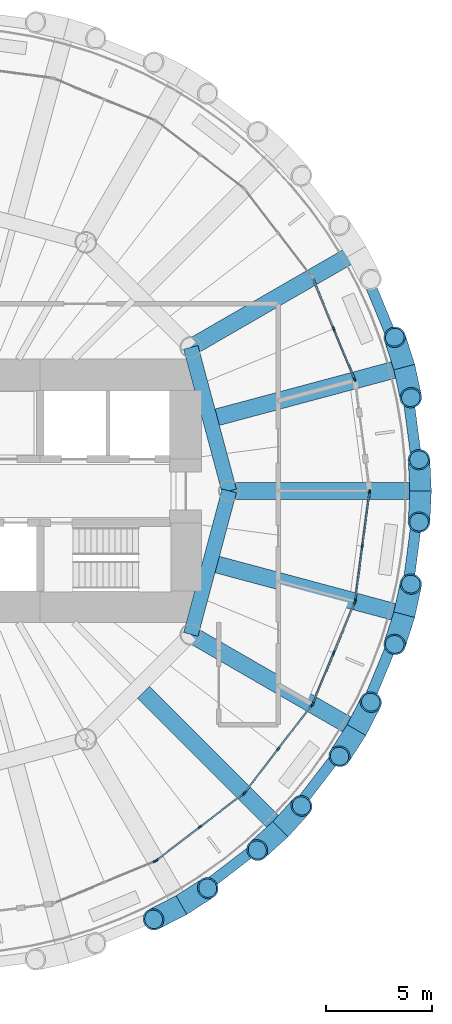
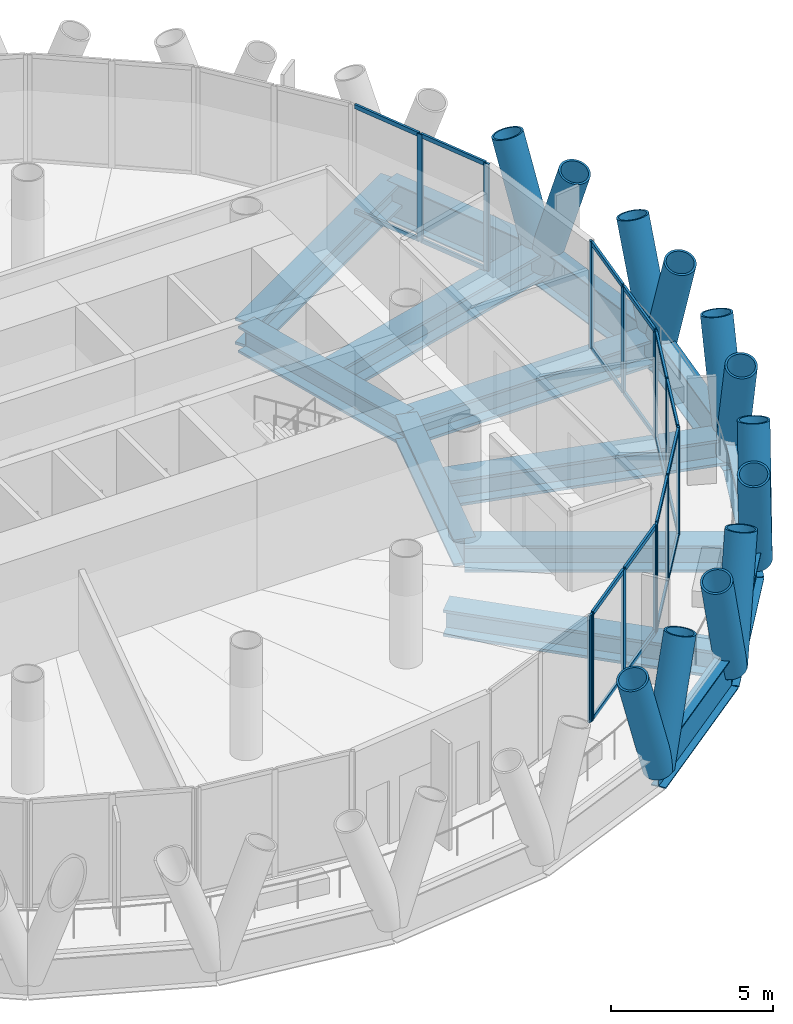
# One storey, part 4 of 14: 47 members, 14 beams, 6 elements without a shape of their own.
"""IFC4 building model written with IfcOpenShell, lengths in metres."""

import ifcopenshell
import ifcopenshell.guid

model = None  # the IFC model being written
_history = None  # IfcOwnerHistory: only IFC2X3 demands one
_inside = {}  # id of a spatial element -> (the spatial element, [elements in it])
_under = {}  # id of a project, library or spatial element -> (it, [spatial elements below it])
_declared = {}  # id of a project -> (the project, [libraries it declares])
_typed = {}  # id of a type object -> (the type object, [elements of that type])
_made_of = {}  # id of a material, layer set ... -> (it, [elements and type objects made of it])


def new_model(schema):
    """Start an empty IFC model of exactly this schema.

    Asked for "IFC4X3", IfcOpenShell would pick the latest addendum, in which some entities
    have other attributes; the version numbers below select the first issue.
    IFC2X3 requires an IfcOwnerHistory on every rooted entity: one is made here for all.
    """
    global model, _history
    if schema == "IFC4X3":
        model = ifcopenshell.file(schema_version=(4, 3, 0, 0))
    else:
        model = ifcopenshell.file(schema=schema)
    _inside.clear()
    _under.clear()
    _declared.clear()
    _typed.clear()
    _made_of.clear()
    _history = None
    if model.schema == "IFC2X3":
        org = make("IfcOrganization", Name="unknown")
        user = make(
            "IfcPersonAndOrganization",
            ThePerson=make("IfcPerson", FamilyName="unknown"),
            TheOrganization=org,
        )
        app = make(
            "IfcApplication",
            ApplicationDeveloper=org,
            Version="unknown",
            ApplicationFullName="unknown",
            ApplicationIdentifier="unknown",
        )
        _history = make(
            "IfcOwnerHistory",
            OwningUser=user,
            OwningApplication=app,
            ChangeAction="ADDED",
            CreationDate=0,
        )
    return model


def make(cls, **values):
    """One entity of the class cls with the attributes given. An attribute that is None is left unset."""
    return model.create_entity(
        cls, **{name: value for name, value in values.items() if value is not None}
    )


def rooted(cls, **values):
    """An entity with a GlobalId (a new one), such as an element, a storey or a relation."""
    return make(cls, GlobalId=ifcopenshell.guid.new(), OwnerHistory=_history, **values)


def si_unit(unit_type, name, prefix=None):
    """IfcSIUnit, for example si_unit("LENGTHUNIT", "METRE", prefix="MILLI")."""
    return make("IfcSIUnit", UnitType=unit_type, Prefix=prefix, Name=name)


def assignment(units):
    """IfcUnitAssignment: the units of a project."""
    return None if units is None else make("IfcUnitAssignment", Units=units)


def point(xyz):
    """IfcCartesianPoint."""
    return None if xyz is None else make("IfcCartesianPoint", Coordinates=xyz)


def direction(xyz):
    """IfcDirection."""
    return None if xyz is None else make("IfcDirection", DirectionRatios=xyz)


def frame(location, z_axis=None, x_axis=None):
    """IfcAxis2Placement3D, a coordinate frame: its origin and axes. An axis left out is left unset."""
    return make(
        "IfcAxis2Placement3D",
        Location=point(location),
        Axis=direction(z_axis),
        RefDirection=direction(x_axis),
    )


def frame_2d(location, x_axis=None):
    """IfcAxis2Placement2D, a coordinate frame in the plane: its origin and x axis."""
    return make(
        "IfcAxis2Placement2D", Location=point(location), RefDirection=direction(x_axis)
    )


def origin():
    """The frame at (0, 0, 0) with its axes left unset."""
    return frame((0.0, 0.0, 0.0))


def origin_2d():
    """The frame at (0, 0) in the plane with its x axis left unset."""
    return frame_2d((0.0, 0.0))


def place(relative_to, where):
    """IfcLocalPlacement: puts the frame where relative to a parent placement (None: the world)."""
    return make(
        "IfcLocalPlacement", PlacementRelTo=relative_to, RelativePlacement=where
    )


def context(
    kind, dimensions, precision=None, world=None, true_north=None, identifier=None
):
    """IfcGeometricRepresentationContext, for example the 3D "Model" context."""
    return make(
        "IfcGeometricRepresentationContext",
        ContextIdentifier=identifier,
        ContextType=kind,
        CoordinateSpaceDimension=dimensions,
        Precision=precision,
        WorldCoordinateSystem=world,
        TrueNorth=true_north,
    )


def subcontext(parent, identifier, kind, view, scale=None):
    """IfcGeometricRepresentationSubContext, for example "Body" below "Model"."""
    return make(
        "IfcGeometricRepresentationSubContext",
        ContextIdentifier=identifier,
        ContextType=kind,
        ParentContext=parent,
        TargetScale=scale,
        TargetView=view,
    )


def project(units=None, contexts=None):
    """IfcProject with its units and contexts."""
    return rooted(
        "IfcProject",
        Name="project",
        RepresentationContexts=contexts,
        UnitsInContext=assignment(units),
    )


def spatial(cls, under=None, at=None, **own):
    """A site, building, storey or space (cls), placed at a placement, below another one or the project."""
    s = rooted(cls, ObjectPlacement=at, **own)
    if under is not None:
        _under.setdefault(under.id(), (under, []))[1].append(s)
    return s


def profile(cls, at=None, kind="AREA", **sizes):
    """A parametric profile (cls). Its sizes go by their IFC names, for example OverallWidth=200.0."""
    return make(cls, ProfileType=kind, Position=at, **sizes)


def rectangle(**sizes):
    """IfcRectangleProfileDef."""
    return profile("IfcRectangleProfileDef", **sizes)


def hollow_circle(**sizes):
    """IfcCircleHollowProfileDef."""
    return profile("IfcCircleHollowProfileDef", **sizes)


def i_section(**sizes):
    """IfcIShapeProfileDef."""
    return profile("IfcIShapeProfileDef", **sizes)


def extrude(swept, where, along, depth):
    """IfcExtrudedAreaSolid: the profile swept, set in the frame where, extruded along a direction by depth."""
    return make(
        "IfcExtrudedAreaSolid",
        SweptArea=swept,
        Position=where,
        ExtrudedDirection=direction(along),
        Depth=depth,
    )


def shape(context_of_items, identifier, shape_type, items):
    """IfcShapeRepresentation: the items that make up one representation, for example the "Body"."""
    return make(
        "IfcShapeRepresentation",
        ContextOfItems=context_of_items,
        RepresentationIdentifier=identifier,
        RepresentationType=shape_type,
        Items=items,
    )


def material(Name=None, Category=None):
    """IfcMaterial."""
    return make("IfcMaterial", Name=Name, Category=Category)


def material_profile(
    of_material, cross_section, Name=None, Category=None, Priority=None
):
    """IfcMaterialProfile: a cross section and its material."""
    return make(
        "IfcMaterialProfile",
        Name=Name,
        Material=of_material,
        Profile=cross_section,
        Priority=Priority,
        Category=Category,
    )


def profile_set(profiles, Name=None, composite=None):
    """IfcMaterialProfileSet."""
    return make(
        "IfcMaterialProfileSet",
        Name=Name,
        MaterialProfiles=profiles,
        CompositeProfile=composite,
    )


def made_of(thing, what):
    """Note that an element or type object is made of a material, layer set ...; save() writes the relation."""
    if what is not None:
        _made_of.setdefault(what.id(), (what, []))[1].append(thing)
    return thing


def type_object(cls, material=None, **own):
    """A type object (cls), such as IfcWallType, which elements share."""
    return made_of(rooted(cls, **own), material)


def element(
    cls,
    number,
    at=None,
    inside=None,
    cuts=None,
    type_object=None,
    material=None,
    context=None,
    identifier="Body",
    shape_type=None,
    held_by="IfcProductDefinitionShape",
    body=None,
    shapes=None,
    **own,
):
    """One element of the class cls, such as IfcWall. Its Tag is "e" and its number.

    at: its placement. inside: the storey or other place that contains it. cuts: it is an
    opening in that element (IfcRelVoidsElement). A single representation is given by context,
    identifier, shape_type and body (its items); several are given by shapes. held_by: the class
    of the entity that holds the representations. save() writes the other relations.
    """
    e = rooted(cls, Tag="e%d" % number, ObjectPlacement=at, **own)
    if body is not None:
        shapes = [shape(context, identifier, shape_type, body)]
    if shapes is not None:
        e.Representation = make(held_by, Representations=shapes)
    if inside is not None:
        _inside.setdefault(inside.id(), (inside, []))[1].append(e)
    if cuts is not None:
        rooted(
            "IfcRelVoidsElement", RelatingBuildingElement=cuts, RelatedOpeningElement=e
        )
    if type_object is not None:
        _typed.setdefault(type_object.id(), (type_object, []))[1].append(e)
    return made_of(e, material)


def aggregate(whole, parts):
    """IfcRelAggregates: a whole, such as a stair, and the parts it consists of."""
    return rooted("IfcRelAggregates", RelatingObject=whole, RelatedObjects=parts)


def save(model, path):
    """Write the relations noted so far, then the file.

    IfcRelAggregates (storeys below a building ...), IfcRelContainedInSpatialStructure (elements
    in a storey), IfcRelDefinesByType, IfcRelAssociatesMaterial and IfcRelDeclares: one each for
    every whole, place, type object, material and project.
    """
    for whole, parts in _under.values():
        aggregate(whole, parts)
    for where, things in _inside.values():
        rooted(
            "IfcRelContainedInSpatialStructure",
            RelatedElements=things,
            RelatingStructure=where,
        )
    for kind, things in _typed.values():
        rooted("IfcRelDefinesByType", RelatedObjects=things, RelatingType=kind)
    for what, things in _made_of.values():
        rooted("IfcRelAssociatesMaterial", RelatedObjects=things, RelatingMaterial=what)
    for by, libraries in _declared.values():
        rooted("IfcRelDeclares", RelatingContext=by, RelatedDefinitions=libraries)
    model.write(path)


model = new_model("IFC4")

# Units and contexts
model_context = context("Model", 3, precision=1e-05, world=origin(), true_north=direction((0.0, 1.0)))
body_context = subcontext(model_context, "Body", "Model", "MODEL_VIEW")
ifc_project = project(units=[si_unit("LENGTHUNIT", "METRE"), si_unit("AREAUNIT", "SQUARE_METRE"), si_unit("VOLUMEUNIT", "CUBIC_METRE"), si_unit("PLANEANGLEUNIT", "RADIAN"), si_unit("MASSUNIT", "GRAM", prefix="KILO")], contexts=[model_context])

# Site, building, storey
site_placement = place(None, origin())
site = spatial("IfcSite", under=ifc_project, at=site_placement, CompositionType="ELEMENT")
building_placement = place(site_placement, origin())
building = spatial("IfcBuilding", under=site, at=building_placement, Name="Qaws Media Tower", CompositionType="ELEMENT")
storey_placement = place(building_placement, frame((0.0, 0.0, 227.60009765625)))
storey = spatial("IfcBuildingStorey", under=building, at=storey_placement, Name="L52", CompositionType="ELEMENT", Elevation=227.60009765625)

# Curtain wall, members
ifc_material_1 = material(Name="Aluminium and clear glass", Category="aluminium")
curtain_wall_type = type_object("IfcCurtainWallType", Name="Unitised curtain wall CW-C", PredefinedType="NOTDEFINED", material=ifc_material_1)
curtain_wall_1_placement = place(storey_placement, origin())
curtain_wall_1 = element("IfcCurtainWall", 1, at=curtain_wall_1_placement, inside=storey, type_object=curtain_wall_type, Name="CWC curtain wall L52-02", PredefinedType="NOTDEFINED")
ifc_material_2 = material(Name="Aluminium mullion", Category="aluminium")
ifc_material_profile_1 = material_profile(ifc_material_2, rectangle(XDim=0.080078125, YDim=0.199951171875, at=origin_2d()), Name="80x200")
ifc_profile_set_1 = profile_set([ifc_material_profile_1], Name="Aluminium mullion")
member_type_1 = type_object("IfcMemberType", Name="Curtain wall mullion 80x200", PredefinedType="MULLION", material=ifc_profile_set_1)
member_1_placement = place(storey_placement, frame((79.39990234375, 55.2392578125, 0.0), z_axis=(0.0, 0.0, 1.0), x_axis=(-0.92387956029, -0.382683365302, 0.0)))
member_1 = element("IfcMember", 2, at=member_1_placement, type_object=member_type_1, Name="CWC mullion 1", PredefinedType="MULLION", context=body_context, shape_type="SweptSolid", body=[
    extrude(rectangle(XDim=0.080078125, YDim=0.199951171875, at=origin_2d()), origin(), (0.0, 0.0, 1.0), 4.039794921875),
])
member_2_placement = place(storey_placement, frame((78.4111328125, 57.626220703125, 0.0), z_axis=(0.0, 0.0, 1.0), x_axis=(-0.92387956029, -0.382683365302, 0.0)))
member_2 = element("IfcMember", 3, at=member_2_placement, type_object=member_type_1, Name="CWC mullion 2", PredefinedType="MULLION", context=body_context, shape_type="SweptSolid", body=[
    extrude(rectangle(XDim=0.080078125, YDim=0.199951171875, at=origin_2d()), origin(), (0.0, 0.0, 1.0), 4.039794921875),
])

# Curtain wall, member
curtain_wall_2_placement = place(storey_placement, origin())
curtain_wall_2 = element("IfcCurtainWall", 4, at=curtain_wall_2_placement, inside=storey, type_object=curtain_wall_type, Name="CWC curtain wall L52-20", PredefinedType="NOTDEFINED")
member_3_placement = place(storey_placement, frame((70.012939453125, 32.57763671875, 0.0), z_axis=(0.0, 0.0, 1.0), x_axis=(-0.382683365302, 0.92387956029, 0.0)))
member_3 = element("IfcMember", 5, at=member_3_placement, type_object=member_type_1, Name="CWC mullion 3", PredefinedType="MULLION", context=body_context, shape_type="SweptSolid", body=[
    extrude(rectangle(XDim=0.080078125, YDim=0.199951171875, at=origin_2d()), origin(), (0.0, 0.0, 1.0), 4.039794921875),
])
aggregate(curtain_wall_2, [member_3])

# Curtain wall, members
curtain_wall_3_placement = place(storey_placement, origin())
curtain_wall_3 = element("IfcCurtainWall", 6, at=curtain_wall_3_placement, inside=storey, type_object=curtain_wall_type, Name="CWC curtain wall L52-21", PredefinedType="NOTDEFINED")
member_4_placement = place(storey_placement, frame((70.081787109375, 32.6171875, 0.0), z_axis=(0.0, 0.0, 1.0), x_axis=(-0.608761539048, 0.793353255855, 0.0)))
member_4 = element("IfcMember", 7, at=member_4_placement, type_object=member_type_1, Name="CWC mullion 1", PredefinedType="MULLION", context=body_context, shape_type="SweptSolid", body=[
    extrude(rectangle(XDim=0.080078125, YDim=0.199951171875, at=origin_2d()), origin(), (0.0, 0.0, 1.0), 4.039794921875),
])
member_5_placement = place(storey_placement, frame((72.13134765625, 34.18994140625, 0.0), z_axis=(0.0, 0.0, 1.0), x_axis=(-0.608761539048, 0.793353255855, 0.0)))
member_5 = element("IfcMember", 8, at=member_5_placement, type_object=member_type_1, Name="CWC mullion 2", PredefinedType="MULLION", context=body_context, shape_type="SweptSolid", body=[
    extrude(rectangle(XDim=0.080078125, YDim=0.199951171875, at=origin_2d()), origin(), (0.0, 0.0, 1.0), 4.039794921875),
])
member_6_placement = place(storey_placement, frame((74.18115234375, 35.7626953125, 0.0), z_axis=(0.0, 0.0, 1.0), x_axis=(-0.608761539048, 0.793353255855, 0.0)))
member_6 = element("IfcMember", 9, at=member_6_placement, type_object=member_type_1, Name="CWC mullion 3", PredefinedType="MULLION", context=body_context, shape_type="SweptSolid", body=[
    extrude(rectangle(XDim=0.080078125, YDim=0.199951171875, at=origin_2d()), origin(), (0.0, 0.0, 1.0), 4.039794921875),
])

curtain_wall_4_placement = place(storey_placement, origin())
curtain_wall_4 = element("IfcCurtainWall", 10, at=curtain_wall_4_placement, inside=storey, type_object=curtain_wall_type, Name="CWC curtain wall L52-22", PredefinedType="NOTDEFINED")
member_7_placement = place(storey_placement, frame((74.2373046875, 35.81884765625, 0.0), z_axis=(0.0, 0.0, 1.0), x_axis=(-0.793353255855, 0.608761539048, 0.0)))
member_7 = element("IfcMember", 11, at=member_7_placement, type_object=member_type_1, Name="CWC mullion 1", PredefinedType="MULLION", context=body_context, shape_type="SweptSolid", body=[
    extrude(rectangle(XDim=0.080078125, YDim=0.199951171875, at=origin_2d()), origin(), (0.0, 0.0, 1.0), 4.039794921875),
])
member_8_placement = place(storey_placement, frame((75.81005859375, 37.86865234375, 0.0), z_axis=(0.0, 0.0, 1.0), x_axis=(-0.793353255855, 0.608761539048, 0.0)))
member_8 = element("IfcMember", 12, at=member_8_placement, type_object=member_type_1, Name="CWC mullion 2", PredefinedType="MULLION", context=body_context, shape_type="SweptSolid", body=[
    extrude(rectangle(XDim=0.080078125, YDim=0.199951171875, at=origin_2d()), origin(), (0.0, 0.0, 1.0), 4.039794921875),
])
member_9_placement = place(storey_placement, frame((77.3828125, 39.918212890625, 0.0), z_axis=(0.0, 0.0, 1.0), x_axis=(-0.793353255855, 0.608761539048, 0.0)))
member_9 = element("IfcMember", 13, at=member_9_placement, type_object=member_type_1, Name="CWC mullion 3", PredefinedType="MULLION", context=body_context, shape_type="SweptSolid", body=[
    extrude(rectangle(XDim=0.080078125, YDim=0.199951171875, at=origin_2d()), origin(), (0.0, 0.0, 1.0), 4.039794921875),
])

curtain_wall_5_placement = place(storey_placement, origin())
curtain_wall_5 = element("IfcCurtainWall", 14, at=curtain_wall_5_placement, inside=storey, type_object=curtain_wall_type, Name="CWC curtain wall L52-23", PredefinedType="NOTDEFINED")
member_10_placement = place(storey_placement, frame((77.42236328125, 39.987060546875, 0.0), z_axis=(0.0, 0.0, 1.0), x_axis=(-0.92387956029, 0.382683365302, 0.0)))
member_10 = element("IfcMember", 15, at=member_10_placement, type_object=member_type_1, Name="CWC mullion 1", PredefinedType="MULLION", context=body_context, shape_type="SweptSolid", body=[
    extrude(rectangle(XDim=0.080078125, YDim=0.199951171875, at=origin_2d()), origin(), (0.0, 0.0, 1.0), 4.039794921875),
])
member_11_placement = place(storey_placement, frame((78.4111328125, 42.373779296875, 0.0), z_axis=(0.0, 0.0, 1.0), x_axis=(-0.92387956029, 0.382683365302, 0.0)))
member_11 = element("IfcMember", 16, at=member_11_placement, type_object=member_type_1, Name="CWC mullion 2", PredefinedType="MULLION", context=body_context, shape_type="SweptSolid", body=[
    extrude(rectangle(XDim=0.080078125, YDim=0.199951171875, at=origin_2d()), origin(), (0.0, 0.0, 1.0), 4.039794921875),
])
member_12_placement = place(storey_placement, frame((79.39990234375, 44.7607421875, 0.0), z_axis=(0.0, 0.0, 1.0), x_axis=(-0.92387956029, 0.382683365302, 0.0)))
member_12 = element("IfcMember", 17, at=member_12_placement, type_object=member_type_1, Name="CWC mullion 3", PredefinedType="MULLION", context=body_context, shape_type="SweptSolid", body=[
    extrude(rectangle(XDim=0.080078125, YDim=0.199951171875, at=origin_2d()), origin(), (0.0, 0.0, 1.0), 4.039794921875),
])

curtain_wall_6_placement = place(storey_placement, origin())
curtain_wall_6 = element("IfcCurtainWall", 18, at=curtain_wall_6_placement, inside=storey, type_object=curtain_wall_type, Name="CWC curtain wall L52-24", PredefinedType="NOTDEFINED")
member_13_placement = place(storey_placement, frame((79.42041015625, 44.83740234375, 0.0), z_axis=(0.0, 0.0, 1.0), x_axis=(-0.991444859328, 0.130526207759, 0.0)))
member_13 = element("IfcMember", 19, at=member_13_placement, type_object=member_type_1, Name="CWC mullion 1", PredefinedType="MULLION", context=body_context, shape_type="SweptSolid", body=[
    extrude(rectangle(XDim=0.080078125, YDim=0.199951171875, at=origin_2d()), origin(), (0.0, 0.0, 1.0), 4.039794921875),
])
member_14_placement = place(storey_placement, frame((79.757568359375, 47.39892578125, 0.0), z_axis=(0.0, 0.0, 1.0), x_axis=(-0.991444859328, 0.130526207759, 0.0)))
member_14 = element("IfcMember", 20, at=member_14_placement, type_object=member_type_1, Name="CWC mullion 2", PredefinedType="MULLION", context=body_context, shape_type="SweptSolid", body=[
    extrude(rectangle(XDim=0.080078125, YDim=0.199951171875, at=origin_2d()), origin(), (0.0, 0.0, 1.0), 4.039794921875),
])
member_15_placement = place(storey_placement, frame((80.0947265625, 49.96044921875, 0.0), z_axis=(0.0, 0.0, 1.0), x_axis=(-0.991444859328, 0.130526207759, 0.0)))
member_15 = element("IfcMember", 21, at=member_15_placement, type_object=member_type_1, Name="CWC mullion 3", PredefinedType="MULLION", context=body_context, shape_type="SweptSolid", body=[
    extrude(rectangle(XDim=0.080078125, YDim=0.199951171875, at=origin_2d()), origin(), (0.0, 0.0, 1.0), 4.039794921875),
])

# Member
ifc_material_3 = material(Name="Aluminium transom", Category="aluminium")
ifc_material_profile_2 = material_profile(ifc_material_3, rectangle(XDim=0.080078125, YDim=0.159912109375, at=origin_2d()), Name="80x160")
ifc_profile_set_2 = profile_set([ifc_material_profile_2], Name="Aluminium transom")
member_type_2 = type_object("IfcMemberType", Name="Curtain wall transom 80x160", PredefinedType="USERDEFINED", material=ifc_profile_set_2)
member_16_placement = place(storey_placement, frame((79.384521484375, 55.276123046875, 0.039794921875), z_axis=(-0.382661849723, 0.923888472039, 0.0), x_axis=(-0.923888472039, -0.382661849723, 0.0)))
member_16 = element("IfcMember", 22, at=member_16_placement, type_object=member_type_2, Name="CWC transom 1.1", ObjectType="TRANSOM", PredefinedType="USERDEFINED", context=body_context, shape_type="SweptSolid", body=[
    extrude(rectangle(XDim=0.080078125, YDim=0.159912109375, at=origin_2d()), origin(), (0.0, 0.0, 1.0), 2.50341796875),
])

member_17_placement = place(storey_placement, frame((79.384521484375, 55.276123046875, 4.0), z_axis=(-0.382661849723, 0.923888472039, 0.0), x_axis=(-0.923888472039, -0.382661849723, 0.0)))
member_17 = element("IfcMember", 23, at=member_17_placement, type_object=member_type_2, Name="CWC transom 1.2", ObjectType="TRANSOM", PredefinedType="USERDEFINED", context=body_context, shape_type="SweptSolid", body=[
    extrude(rectangle(XDim=0.080078125, YDim=0.159912109375, at=origin_2d()), origin(), (0.0, 0.0, 1.0), 2.50341796875),
])

member_18_placement = place(storey_placement, frame((78.395751953125, 57.6630859375, 0.039794921875), z_axis=(-0.382661849723, 0.923888472039, 0.0), x_axis=(-0.923888472039, -0.382661849723, 0.0)))
member_18 = element("IfcMember", 24, at=member_18_placement, type_object=member_type_2, Name="CWC transom 2.1", ObjectType="TRANSOM", PredefinedType="USERDEFINED", context=body_context, shape_type="SweptSolid", body=[
    extrude(rectangle(XDim=0.080078125, YDim=0.159912109375, at=origin_2d()), origin(), (0.0, 0.0, 1.0), 2.50341796875),
])

member_19_placement = place(storey_placement, frame((78.395751953125, 57.6630859375, 4.0), z_axis=(-0.382661849723, 0.923888472039, 0.0), x_axis=(-0.923888472039, -0.382661849723, 0.0)))
member_19 = element("IfcMember", 25, at=member_19_placement, type_object=member_type_2, Name="CWC transom 2.2", ObjectType="TRANSOM", PredefinedType="USERDEFINED", context=body_context, shape_type="SweptSolid", body=[
    extrude(rectangle(XDim=0.080078125, YDim=0.159912109375, at=origin_2d()), origin(), (0.0, 0.0, 1.0), 2.50341796875),
])

aggregate(curtain_wall_1, [member_1, member_2, member_16, member_17, member_18, member_19])

member_20_placement = place(storey_placement, frame((70.113525390625, 32.6416015625, 0.039794921875), z_axis=(0.793315898111, 0.608810221501, 0.0), x_axis=(-0.608810221501, 0.793315898111, 0.0)))
member_20 = element("IfcMember", 26, at=member_20_placement, type_object=member_type_2, Name="CWC transom 1.1", ObjectType="TRANSOM", PredefinedType="USERDEFINED", context=body_context, shape_type="SweptSolid", body=[
    extrude(rectangle(XDim=0.080078125, YDim=0.159912109375, at=origin_2d()), origin(), (0.0, 0.0, 1.0), 2.50341796875),
])

member_21_placement = place(storey_placement, frame((70.113525390625, 32.6416015625, 4.0), z_axis=(0.793315898111, 0.608810221501, 0.0), x_axis=(-0.608810221501, 0.793315898111, 0.0)))
member_21 = element("IfcMember", 27, at=member_21_placement, type_object=member_type_2, Name="CWC transom 1.2", ObjectType="TRANSOM", PredefinedType="USERDEFINED", context=body_context, shape_type="SweptSolid", body=[
    extrude(rectangle(XDim=0.080078125, YDim=0.159912109375, at=origin_2d()), origin(), (0.0, 0.0, 1.0), 2.50341796875),
])

member_22_placement = place(storey_placement, frame((72.1630859375, 34.21435546875, 0.039794921875), z_axis=(0.79335203927, 0.608763124529, 0.0), x_axis=(-0.608763124529, 0.79335203927, 0.0)))
member_22 = element("IfcMember", 28, at=member_22_placement, type_object=member_type_2, Name="CWC transom 2.1", ObjectType="TRANSOM", PredefinedType="USERDEFINED", context=body_context, shape_type="SweptSolid", body=[
    extrude(rectangle(XDim=0.080078125, YDim=0.159912109375, at=origin_2d()), origin(), (0.0, 0.0, 1.0), 2.503662109375),
])

member_23_placement = place(storey_placement, frame((72.1630859375, 34.21435546875, 4.0), z_axis=(0.79335203927, 0.608763124529, 0.0), x_axis=(-0.608763124529, 0.79335203927, 0.0)))
member_23 = element("IfcMember", 29, at=member_23_placement, type_object=member_type_2, Name="CWC transom 2.2", ObjectType="TRANSOM", PredefinedType="USERDEFINED", context=body_context, shape_type="SweptSolid", body=[
    extrude(rectangle(XDim=0.080078125, YDim=0.159912109375, at=origin_2d()), origin(), (0.0, 0.0, 1.0), 2.503662109375),
])

aggregate(curtain_wall_3, [member_4, member_5, member_6, member_20, member_21, member_22, member_23])

member_24_placement = place(storey_placement, frame((74.261474609375, 35.8505859375, 0.039794921875), z_axis=(0.608763124529, 0.79335203927, 0.0), x_axis=(-0.79335203927, 0.608763124529, 0.0)))
member_24 = element("IfcMember", 30, at=member_24_placement, type_object=member_type_2, Name="CWC transom 1.1", ObjectType="TRANSOM", PredefinedType="USERDEFINED", context=body_context, shape_type="SweptSolid", body=[
    extrude(rectangle(XDim=0.080078125, YDim=0.159912109375, at=origin_2d()), origin(), (0.0, 0.0, 1.0), 2.503662109375),
])

member_25_placement = place(storey_placement, frame((74.261474609375, 35.8505859375, 4.0), z_axis=(0.608763124529, 0.79335203927, 0.0), x_axis=(-0.79335203927, 0.608763124529, 0.0)))
member_25 = element("IfcMember", 31, at=member_25_placement, type_object=member_type_2, Name="CWC transom 1.2", ObjectType="TRANSOM", PredefinedType="USERDEFINED", context=body_context, shape_type="SweptSolid", body=[
    extrude(rectangle(XDim=0.080078125, YDim=0.159912109375, at=origin_2d()), origin(), (0.0, 0.0, 1.0), 2.503662109375),
])

member_26_placement = place(storey_placement, frame((75.834228515625, 37.900390625, 0.039794921875), z_axis=(0.608810221501, 0.793315898111, 0.0), x_axis=(-0.793315898111, 0.608810221501, 0.0)))
member_26 = element("IfcMember", 32, at=member_26_placement, type_object=member_type_2, Name="CWC transom 2.1", ObjectType="TRANSOM", PredefinedType="USERDEFINED", context=body_context, shape_type="SweptSolid", body=[
    extrude(rectangle(XDim=0.080078125, YDim=0.159912109375, at=origin_2d()), origin(), (0.0, 0.0, 1.0), 2.50341796875),
])

member_27_placement = place(storey_placement, frame((75.834228515625, 37.900390625, 4.0), z_axis=(0.608810221501, 0.793315898111, 0.0), x_axis=(-0.793315898111, 0.608810221501, 0.0)))
member_27 = element("IfcMember", 33, at=member_27_placement, type_object=member_type_2, Name="CWC transom 2.2", ObjectType="TRANSOM", PredefinedType="USERDEFINED", context=body_context, shape_type="SweptSolid", body=[
    extrude(rectangle(XDim=0.080078125, YDim=0.159912109375, at=origin_2d()), origin(), (0.0, 0.0, 1.0), 2.50341796875),
])

aggregate(curtain_wall_4, [member_7, member_8, member_9, member_24, member_25, member_26, member_27])

member_28_placement = place(storey_placement, frame((77.437744140625, 40.02392578125, 0.039794921875), z_axis=(0.382661849723, 0.923888472039, 0.0), x_axis=(-0.923888472039, 0.382661849723, 0.0)))
member_28 = element("IfcMember", 34, at=member_28_placement, type_object=member_type_2, Name="CWC transom 1.1", ObjectType="TRANSOM", PredefinedType="USERDEFINED", context=body_context, shape_type="SweptSolid", body=[
    extrude(rectangle(XDim=0.080078125, YDim=0.159912109375, at=origin_2d()), origin(), (0.0, 0.0, 1.0), 2.50341796875),
])

member_29_placement = place(storey_placement, frame((77.437744140625, 40.02392578125, 4.0), z_axis=(0.382661849723, 0.923888472039, 0.0), x_axis=(-0.923888472039, 0.382661849723, 0.0)))
member_29 = element("IfcMember", 35, at=member_29_placement, type_object=member_type_2, Name="CWC transom 1.2", ObjectType="TRANSOM", PredefinedType="USERDEFINED", context=body_context, shape_type="SweptSolid", body=[
    extrude(rectangle(XDim=0.080078125, YDim=0.159912109375, at=origin_2d()), origin(), (0.0, 0.0, 1.0), 2.50341796875),
])

member_30_placement = place(storey_placement, frame((78.426513671875, 42.410888671875, 0.039794921875), z_axis=(0.382661849723, 0.923888472039, 0.0), x_axis=(-0.923888472039, 0.382661849723, 0.0)))
member_30 = element("IfcMember", 36, at=member_30_placement, type_object=member_type_2, Name="CWC transom 2.1", ObjectType="TRANSOM", PredefinedType="USERDEFINED", context=body_context, shape_type="SweptSolid", body=[
    extrude(rectangle(XDim=0.080078125, YDim=0.159912109375, at=origin_2d()), origin(), (0.0, 0.0, 1.0), 2.50341796875),
])

member_31_placement = place(storey_placement, frame((78.426513671875, 42.410888671875, 4.0), z_axis=(0.382661849723, 0.923888472039, 0.0), x_axis=(-0.923888472039, 0.382661849723, 0.0)))
member_31 = element("IfcMember", 37, at=member_31_placement, type_object=member_type_2, Name="CWC transom 2.2", ObjectType="TRANSOM", PredefinedType="USERDEFINED", context=body_context, shape_type="SweptSolid", body=[
    extrude(rectangle(XDim=0.080078125, YDim=0.159912109375, at=origin_2d()), origin(), (0.0, 0.0, 1.0), 2.50341796875),
])

aggregate(curtain_wall_5, [member_10, member_11, member_12, member_28, member_29, member_30, member_31])

member_32_placement = place(storey_placement, frame((79.425537109375, 44.876953125, 0.039794921875), z_axis=(0.130573070139, 0.991438688651, 0.0), x_axis=(-0.991438688651, 0.130573070139, 0.0)))
member_32 = element("IfcMember", 38, at=member_32_placement, type_object=member_type_2, Name="CWC transom 1.1", ObjectType="TRANSOM", PredefinedType="USERDEFINED", context=body_context, shape_type="SweptSolid", body=[
    extrude(rectangle(XDim=0.080078125, YDim=0.159912109375, at=origin_2d()), origin(), (0.0, 0.0, 1.0), 2.503662109375),
])

member_33_placement = place(storey_placement, frame((79.425537109375, 44.876953125, 4.0), z_axis=(0.130573070139, 0.991438688651, 0.0), x_axis=(-0.991438688651, 0.130573070139, 0.0)))
member_33 = element("IfcMember", 39, at=member_33_placement, type_object=member_type_2, Name="CWC transom 1.2", ObjectType="TRANSOM", PredefinedType="USERDEFINED", context=body_context, shape_type="SweptSolid", body=[
    extrude(rectangle(XDim=0.080078125, YDim=0.159912109375, at=origin_2d()), origin(), (0.0, 0.0, 1.0), 2.503662109375),
])

member_34_placement = place(storey_placement, frame((79.7626953125, 47.4384765625, 0.039794921875), z_axis=(0.130573070139, 0.991438688651, 0.0), x_axis=(-0.991438688651, 0.130573070139, 0.0)))
member_34 = element("IfcMember", 40, at=member_34_placement, type_object=member_type_2, Name="CWC transom 2.1", ObjectType="TRANSOM", PredefinedType="USERDEFINED", context=body_context, shape_type="SweptSolid", body=[
    extrude(rectangle(XDim=0.080078125, YDim=0.159912109375, at=origin_2d()), origin(), (0.0, 0.0, 1.0), 2.503662109375),
])

member_35_placement = place(storey_placement, frame((79.7626953125, 47.4384765625, 4.0), z_axis=(0.130573070139, 0.991438688651, 0.0), x_axis=(-0.991438688651, 0.130573070139, 0.0)))
member_35 = element("IfcMember", 41, at=member_35_placement, type_object=member_type_2, Name="CWC transom 2.2", ObjectType="TRANSOM", PredefinedType="USERDEFINED", context=body_context, shape_type="SweptSolid", body=[
    extrude(rectangle(XDim=0.080078125, YDim=0.159912109375, at=origin_2d()), origin(), (0.0, 0.0, 1.0), 2.503662109375),
])

aggregate(curtain_wall_6, [member_13, member_14, member_15, member_32, member_33, member_34, member_35])

# Members
ifc_material_4 = material(Name="Steel S460", Category="steel")
ifc_material_profile_3 = material_profile(ifc_material_4, hollow_circle(Radius=0.508056640625, WallThickness=0.070068359375, at=origin_2d()), Name="CHS 1016x70")
ifc_profile_set_3 = profile_set([ifc_material_profile_3], Name="Steel S460")
member_type_3 = type_object("IfcMemberType", Name="Diagrid member CHS 1016x70", PredefinedType="USERDEFINED", material=ifc_profile_set_3)
for number, where, z_axis, x_axis, name in (
    (42, (82.5, 50.0, -0.91015625), (-0.016457560548, 0.330303240189, 0.943731380331), (-0.998761010727, -0.049763876967, 0.0), "DG3 diagrid L52 A01"),
    (43, (82.5, 50.0, -0.91015625), (-0.016457560548, -0.330303240189, 0.943731380331), (0.998761010727, -0.049763876967, 0.0), "DG3 diagrid L52 B01"),
    (44, (81.7333984375, 55.823486328125, -0.91015625), (-0.101378983785, 0.314779550303, 0.943735204577), (-0.951852353901, -0.306556840364, 0.0), "DG3 diagrid L52 A02"),
    (45, (81.7333984375, 55.823486328125, -0.91015625), (0.06961596623, -0.323283600467, 0.943737956699), (0.977590710821, 0.210514612597, 0.0), "DG3 diagrid L52 B02"),
    (46, (71.25, 30.514404296875, -0.91015625), (0.277805898185, 0.179388879752, 0.943739112655), (-0.542466897967, 0.84007717777, 0.0), "DG3 diagrid L52 A21"),
    (47, (71.25, 30.514404296875, -0.91015625), (-0.294262043365, -0.150916271681, 0.94373414094), (0.456346957219, -0.889801918765, 0.0), "DG3 diagrid L52 B21"),
    (48, (75.909912109375, 34.090087890625, -0.91015625), (0.221957754822, 0.245162927904, 0.943731897233), (-0.741319599696, 0.671152181779, 0.0), "DG3 diagrid L52 A22"),
    (49, (75.909912109375, 34.090087890625, -0.91015625), (-0.245162927904, -0.221957754822, 0.943731897233), (0.671152181779, -0.741319599696, 0.0), "DG3 diagrid L52 B22"),
    (50, (79.485595703125, 38.75, -0.91015625), (0.150916271681, 0.294262043365, 0.94373414094), (-0.889801918765, 0.456346957219, 0.0), "DG3 diagrid L52 A23"),
    (51, (79.485595703125, 38.75, -0.91015625), (-0.179388879752, -0.277805898185, 0.943739112655), (0.84007717777, -0.542466897967, 0.0), "DG3 diagrid L52 B23"),
    (52, (81.7333984375, 44.176513671875, -0.91015625), (0.06961596623, 0.323283600467, 0.943737956699), (-0.977590710821, 0.210514612597, 0.0), "DG3 diagrid L52 A24"),
    (53, (81.7333984375, 44.176513671875, -0.91015625), (-0.101378983785, -0.314779550303, 0.943735204577), (0.951852353901, -0.306556840364, 0.0), "DG3 diagrid L52 B24"),
):
    element("IfcMember", number, at=place(storey_placement, frame(where, z_axis=z_axis, x_axis=x_axis)), inside=storey, type_object=member_type_3, Name=name, ObjectType="DIAGRID", PredefinedType="USERDEFINED", context=body_context, shape_type="SweptSolid", body=[
        extrude(hollow_circle(Radius=0.508056640625, WallThickness=0.070068359375, at=origin_2d()), origin(), (0.0, 0.0, 1.0), 4.450439453125),
    ])

# Beams
ifc_material_5 = material(Name="Steel S460", Category="steel")
ifc_material_profile_4 = material_profile(ifc_material_5, i_section(OverallWidth=0.5, OverallDepth=1.5, WebThickness=0.02001953125, FlangeThickness=0.0400390625, at=origin_2d()), Name="PG 1500x500")
ifc_profile_set_4 = profile_set([ifc_material_profile_4], Name="Steel S460")
beam_type_1 = type_object("IfcBeamType", Name="Edge ring beam PG 1500x500", PredefinedType="BEAM", material=ifc_profile_set_4)
beam_1_placement = place(storey_placement, frame((82.5, 50.0, -0.91015625), z_axis=(-0.13051364818, 0.991446512747, 0.0), x_axis=(-0.991446512747, -0.13051364818, 0.0)))
element("IfcBeam", 54, at=beam_1_placement, inside=storey, type_object=beam_type_1, Name="RB4 edge ring beam L52-01", PredefinedType="BEAM", context=body_context, shape_type="SweptSolid", body=[
    extrude(i_section(OverallWidth=0.5, OverallDepth=1.5, WebThickness=0.02001953125, FlangeThickness=0.0400390625, at=origin_2d()), origin(), (0.0, 0.0, 1.0), 5.873779296875),
])
beam_2_placement = place(storey_placement, frame((81.7333984375, 55.823486328125, -0.91015625), z_axis=(-0.382693194178, 0.923875488976, 0.0), x_axis=(-0.923875488976, -0.382693194178, 0.0)))
element("IfcBeam", 55, at=beam_2_placement, inside=storey, type_object=beam_type_1, Name="RB4 edge ring beam L52-02", PredefinedType="BEAM", context=body_context, shape_type="SweptSolid", body=[
    extrude(i_section(OverallWidth=0.5, OverallDepth=1.5, WebThickness=0.02001953125, FlangeThickness=0.0400390625, at=origin_2d()), origin(), (0.0, 0.0, 1.0), 5.87353515625),
])
for number, where, z_axis, x_axis, name in (
    (56, (71.25, 30.514404296875, -0.91015625), (0.793352742466, 0.608762208108, 0.0), (-0.608762208108, 0.793352742466, 0.0), "RB4 edge ring beam L52-21"),
    (57, (75.909912109375, 34.090087890625, -0.91015625), (0.608762208108, 0.793352742466, 0.0), (-0.793352742466, 0.608762208108, 0.0), "RB4 edge ring beam L52-22"),
):
    element("IfcBeam", number, at=place(storey_placement, frame(where, z_axis=z_axis, x_axis=x_axis)), inside=storey, type_object=beam_type_1, Name=name, PredefinedType="BEAM", context=body_context, shape_type="SweptSolid", body=[
        extrude(i_section(OverallWidth=0.5, OverallDepth=1.5, WebThickness=0.02001953125, FlangeThickness=0.0400390625, at=origin_2d()), origin(), (0.0, 0.0, 1.0), 5.873779296875),
    ])
beam_3_placement = place(storey_placement, frame((79.485595703125, 38.75, -0.91015625), z_axis=(0.382693194178, 0.923875488976, 0.0), x_axis=(-0.923875488976, 0.382693194178, 0.0)))
element("IfcBeam", 58, at=beam_3_placement, inside=storey, type_object=beam_type_1, Name="RB4 edge ring beam L52-23", PredefinedType="BEAM", context=body_context, shape_type="SweptSolid", body=[
    extrude(i_section(OverallWidth=0.5, OverallDepth=1.5, WebThickness=0.02001953125, FlangeThickness=0.0400390625, at=origin_2d()), origin(), (0.0, 0.0, 1.0), 5.87353515625),
])
beam_4_placement = place(storey_placement, frame((81.7333984375, 44.176513671875, -0.91015625), z_axis=(0.13051364818, 0.991446512747, 0.0), x_axis=(-0.991446512747, 0.13051364818, 0.0)))
element("IfcBeam", 59, at=beam_4_placement, inside=storey, type_object=beam_type_1, Name="RB4 edge ring beam L52-24", PredefinedType="BEAM", context=body_context, shape_type="SweptSolid", body=[
    extrude(i_section(OverallWidth=0.5, OverallDepth=1.5, WebThickness=0.02001953125, FlangeThickness=0.0400390625, at=origin_2d()), origin(), (0.0, 0.0, 1.0), 5.873779296875),
])
ifc_material_6 = material(Name="Steel S460", Category="steel")
ifc_material_profile_5 = material_profile(ifc_material_6, i_section(OverallWidth=0.699951171875, OverallDepth=1.0, WebThickness=0.034912109375, FlangeThickness=0.090087890625, at=origin_2d()), Name="PG 1000x700")
ifc_profile_set_5 = profile_set([ifc_material_profile_5], Name="Steel S460")
beam_type_2 = type_object("IfcBeamType", Name="Inner ring girder PG 1000x700", PredefinedType="BEAM", material=ifc_profile_set_5)
for number, where, z_axis, x_axis, name in (
    (60, (73.5, 50.0, -0.66015625), (-0.258810593767, 0.965928090778, 0.0), (-0.965928090778, -0.258810593767, 0.0), "B3 inner ring beam L52 I01-I02"),
    (61, (71.69140625, 43.25, -0.66015625), (0.258810593767, 0.965928090778, 0.0), (-0.965928090778, 0.258810593767, 0.0), "B3 inner ring beam L52 I12-I01"),
):
    element("IfcBeam", number, at=place(storey_placement, frame(where, z_axis=z_axis, x_axis=x_axis)), inside=storey, type_object=beam_type_2, Name=name, PredefinedType="BEAM", context=body_context, shape_type="SweptSolid", body=[
        extrude(i_section(OverallWidth=0.699951171875, OverallDepth=1.0, WebThickness=0.034912109375, FlangeThickness=0.090087890625, at=origin_2d()), origin(), (0.0, 0.0, 1.0), 6.988037109375),
    ])
ifc_material_7 = material(Name="Steel S460", Category="steel")
ifc_material_profile_6 = material_profile(ifc_material_7, i_section(OverallWidth=0.800048828125, OverallDepth=1.0, WebThickness=0.0400390625, FlangeThickness=0.10009765625, at=origin_2d()), Name="PG 1000x800")
ifc_profile_set_6 = profile_set([ifc_material_profile_6], Name="Steel S460")
beam_type_3 = type_object("IfcBeamType", Name="Radial girder PG 1000x800", PredefinedType="BEAM", material=ifc_profile_set_6)
beam_5_placement = place(storey_placement, frame((73.5, 50.0, -0.66015625), z_axis=(1.0, 0.0, 0.0), x_axis=(0.0, 1.0, 0.0)))
element("IfcBeam", 62, at=beam_5_placement, inside=storey, type_object=beam_type_3, Name="B1 radial beam L52 01", PredefinedType="BEAM", context=body_context, shape_type="SweptSolid", body=[
    extrude(i_section(OverallWidth=0.800048828125, OverallDepth=1.0, WebThickness=0.0400390625, FlangeThickness=0.10009765625, at=origin_2d()), origin(), (0.0, 0.0, 1.0), 9.0),
])
beam_6_placement = place(storey_placement, frame((72.933837890625, 53.465576171875, -0.66015625), z_axis=(0.965923767696, 0.258826727753, 0.0), x_axis=(-0.258826727753, 0.965923767696, 0.0)))
element("IfcBeam", 63, at=beam_6_placement, inside=storey, type_object=beam_type_3, Name="B1 radial beam L52 02", PredefinedType="BEAM", context=body_context, shape_type="SweptSolid", body=[
    extrude(i_section(OverallWidth=0.800048828125, OverallDepth=1.0, WebThickness=0.0400390625, FlangeThickness=0.10009765625, at=origin_2d()), origin(), (0.0, 0.0, 1.0), 9.110107421875),
])
beam_7_placement = place(storey_placement, frame((71.69140625, 56.75, -0.66015625), z_axis=(0.866024315419, 0.5000018851, 0.0), x_axis=(-0.5000018851, 0.866024315419, 0.0)))
element("IfcBeam", 64, at=beam_7_placement, inside=storey, type_object=beam_type_3, Name="B1 radial beam L52 03", PredefinedType="BEAM", context=body_context, shape_type="SweptSolid", body=[
    extrude(i_section(OverallWidth=0.800048828125, OverallDepth=1.0, WebThickness=0.0400390625, FlangeThickness=0.10009765625, at=origin_2d()), origin(), (0.0, 0.0, 1.0), 9.0),
])
beam_8_placement = place(storey_placement, frame((69.46826171875, 40.53173828125, -0.66015625), z_axis=(0.707106781187, -0.707106781187, 0.0), x_axis=(0.707106781187, 0.707106781187, 0.0)))
element("IfcBeam", 65, at=beam_8_placement, inside=storey, type_object=beam_type_3, Name="B1 radial beam L52 22", PredefinedType="BEAM", context=body_context, shape_type="SweptSolid", body=[
    extrude(i_section(OverallWidth=0.800048828125, OverallDepth=1.0, WebThickness=0.0400390625, FlangeThickness=0.10009765625, at=origin_2d()), origin(), (0.0, 0.0, 1.0), 9.10986328125),
])
beam_9_placement = place(storey_placement, frame((71.69140625, 43.25, -0.66015625), z_axis=(0.866024315419, -0.5000018851, 0.0), x_axis=(0.5000018851, 0.866024315419, 0.0)))
element("IfcBeam", 66, at=beam_9_placement, inside=storey, type_object=beam_type_3, Name="B1 radial beam L52 23", PredefinedType="BEAM", context=body_context, shape_type="SweptSolid", body=[
    extrude(i_section(OverallWidth=0.800048828125, OverallDepth=1.0, WebThickness=0.0400390625, FlangeThickness=0.10009765625, at=origin_2d()), origin(), (0.0, 0.0, 1.0), 9.0),
])
beam_10_placement = place(storey_placement, frame((72.933837890625, 46.534423828125, -0.66015625), z_axis=(0.965923767696, -0.258826727753, 0.0), x_axis=(0.258826727753, 0.965923767696, 0.0)))
element("IfcBeam", 67, at=beam_10_placement, inside=storey, type_object=beam_type_3, Name="B1 radial beam L52 24", PredefinedType="BEAM", context=body_context, shape_type="SweptSolid", body=[
    extrude(i_section(OverallWidth=0.800048828125, OverallDepth=1.0, WebThickness=0.0400390625, FlangeThickness=0.10009765625, at=origin_2d()), origin(), (0.0, 0.0, 1.0), 9.110107421875),
])

save(model, "model.ifc")
